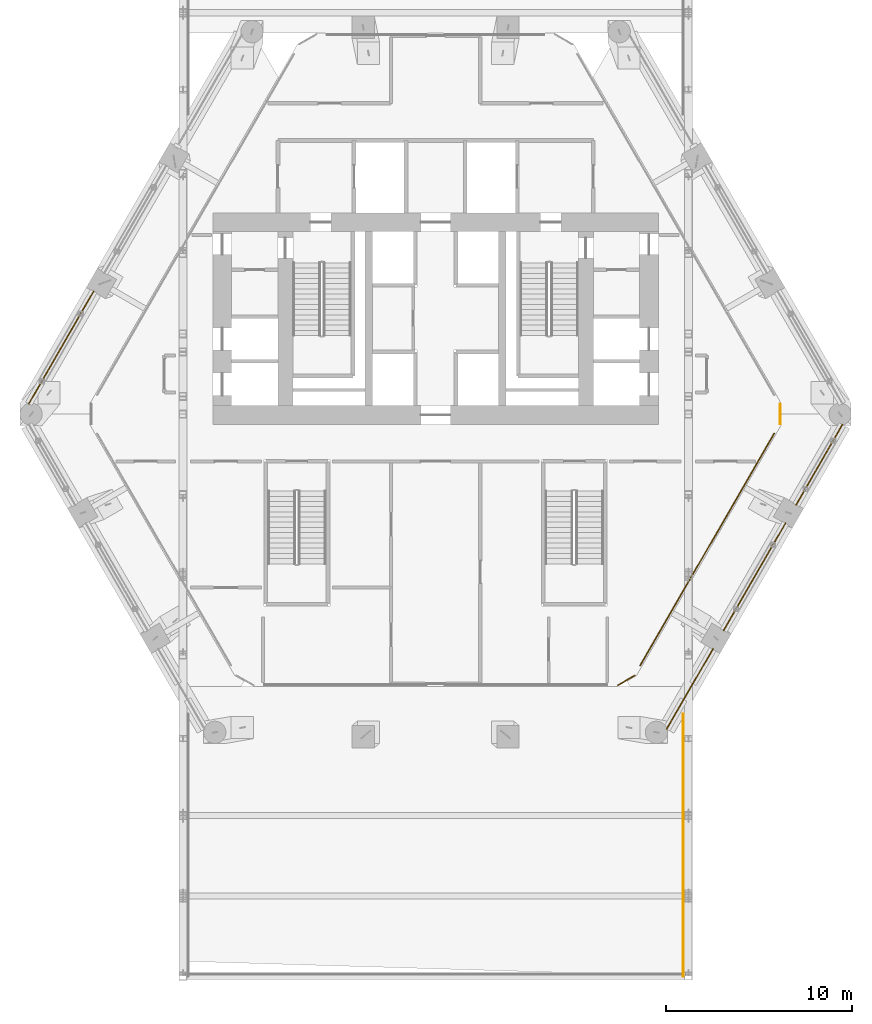
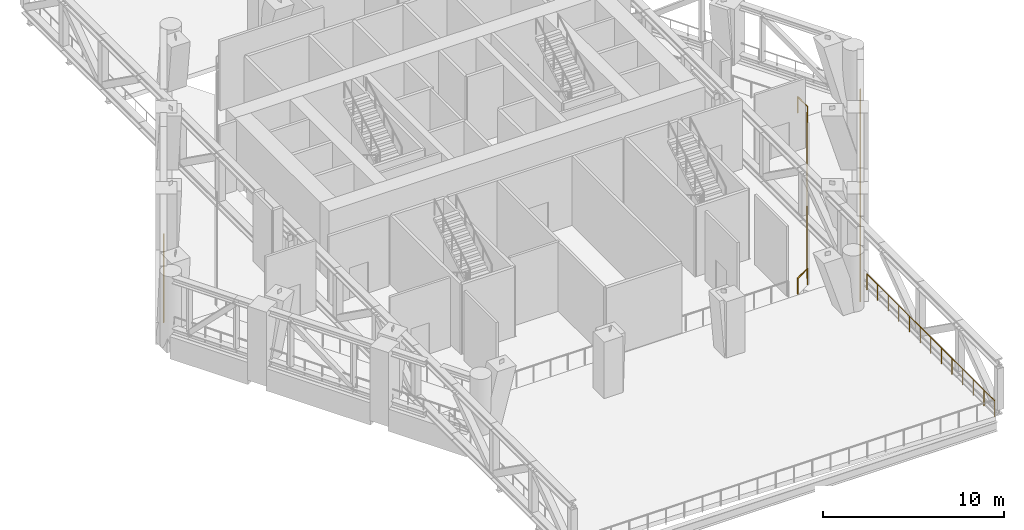
# One storey, part 20 of 22: 8 railings.
"""IFC4 building model written with IfcOpenShell, lengths in metres."""

import ifcopenshell
import ifcopenshell.guid

model = None  # the IFC model being written
_history = None  # IfcOwnerHistory: only IFC2X3 demands one
_inside = {}  # id of a spatial element -> (the spatial element, [elements in it])
_under = {}  # id of a project, library or spatial element -> (it, [spatial elements below it])
_declared = {}  # id of a project -> (the project, [libraries it declares])
_typed = {}  # id of a type object -> (the type object, [elements of that type])
_made_of = {}  # id of a material, layer set ... -> (it, [elements and type objects made of it])


def new_model(schema):
    """Start an empty IFC model of exactly this schema.

    Asked for "IFC4X3", IfcOpenShell would pick the latest addendum, in which some entities
    have other attributes; the version numbers below select the first issue.
    IFC2X3 requires an IfcOwnerHistory on every rooted entity: one is made here for all.
    """
    global model, _history
    if schema == "IFC4X3":
        model = ifcopenshell.file(schema_version=(4, 3, 0, 0))
    else:
        model = ifcopenshell.file(schema=schema)
    _inside.clear()
    _under.clear()
    _declared.clear()
    _typed.clear()
    _made_of.clear()
    _history = None
    if model.schema == "IFC2X3":
        org = make("IfcOrganization", Name="unknown")
        user = make(
            "IfcPersonAndOrganization",
            ThePerson=make("IfcPerson", FamilyName="unknown"),
            TheOrganization=org,
        )
        app = make(
            "IfcApplication",
            ApplicationDeveloper=org,
            Version="unknown",
            ApplicationFullName="unknown",
            ApplicationIdentifier="unknown",
        )
        _history = make(
            "IfcOwnerHistory",
            OwningUser=user,
            OwningApplication=app,
            ChangeAction="ADDED",
            CreationDate=0,
        )
    return model


def make(cls, **values):
    """One entity of the class cls with the attributes given. An attribute that is None is left unset."""
    return model.create_entity(
        cls, **{name: value for name, value in values.items() if value is not None}
    )


def rooted(cls, **values):
    """An entity with a GlobalId (a new one), such as an element, a storey or a relation."""
    return make(cls, GlobalId=ifcopenshell.guid.new(), OwnerHistory=_history, **values)


def si_unit(unit_type, name, prefix=None):
    """IfcSIUnit, for example si_unit("LENGTHUNIT", "METRE", prefix="MILLI")."""
    return make("IfcSIUnit", UnitType=unit_type, Prefix=prefix, Name=name)


def assignment(units):
    """IfcUnitAssignment: the units of a project."""
    return None if units is None else make("IfcUnitAssignment", Units=units)


def point(xyz):
    """IfcCartesianPoint."""
    return None if xyz is None else make("IfcCartesianPoint", Coordinates=xyz)


def direction(xyz):
    """IfcDirection."""
    return None if xyz is None else make("IfcDirection", DirectionRatios=xyz)


def frame(location, z_axis=None, x_axis=None):
    """IfcAxis2Placement3D, a coordinate frame: its origin and axes. An axis left out is left unset."""
    return make(
        "IfcAxis2Placement3D",
        Location=point(location),
        Axis=direction(z_axis),
        RefDirection=direction(x_axis),
    )


def frame_2d(location, x_axis=None):
    """IfcAxis2Placement2D, a coordinate frame in the plane: its origin and x axis."""
    return make(
        "IfcAxis2Placement2D", Location=point(location), RefDirection=direction(x_axis)
    )


def origin():
    """The frame at (0, 0, 0) with its axes left unset."""
    return frame((0.0, 0.0, 0.0))


def origin_2d():
    """The frame at (0, 0) in the plane with its x axis left unset."""
    return frame_2d((0.0, 0.0))


def place(relative_to, where):
    """IfcLocalPlacement: puts the frame where relative to a parent placement (None: the world)."""
    return make(
        "IfcLocalPlacement", PlacementRelTo=relative_to, RelativePlacement=where
    )


def context(
    kind, dimensions, precision=None, world=None, true_north=None, identifier=None
):
    """IfcGeometricRepresentationContext, for example the 3D "Model" context."""
    return make(
        "IfcGeometricRepresentationContext",
        ContextIdentifier=identifier,
        ContextType=kind,
        CoordinateSpaceDimension=dimensions,
        Precision=precision,
        WorldCoordinateSystem=world,
        TrueNorth=true_north,
    )


def subcontext(parent, identifier, kind, view, scale=None):
    """IfcGeometricRepresentationSubContext, for example "Body" below "Model"."""
    return make(
        "IfcGeometricRepresentationSubContext",
        ContextIdentifier=identifier,
        ContextType=kind,
        ParentContext=parent,
        TargetScale=scale,
        TargetView=view,
    )


def project(units=None, contexts=None):
    """IfcProject with its units and contexts."""
    return rooted(
        "IfcProject",
        Name="project",
        RepresentationContexts=contexts,
        UnitsInContext=assignment(units),
    )


def spatial(cls, under=None, at=None, **own):
    """A site, building, storey or space (cls), placed at a placement, below another one or the project."""
    s = rooted(cls, ObjectPlacement=at, **own)
    if under is not None:
        _under.setdefault(under.id(), (under, []))[1].append(s)
    return s


def profile(cls, at=None, kind="AREA", **sizes):
    """A parametric profile (cls). Its sizes go by their IFC names, for example OverallWidth=200.0."""
    return make(cls, ProfileType=kind, Position=at, **sizes)


def circle(**sizes):
    """IfcCircleProfileDef."""
    return profile("IfcCircleProfileDef", **sizes)


def extrude(swept, where, along, depth):
    """IfcExtrudedAreaSolid: the profile swept, set in the frame where, extruded along a direction by depth."""
    return make(
        "IfcExtrudedAreaSolid",
        SweptArea=swept,
        Position=where,
        ExtrudedDirection=direction(along),
        Depth=depth,
    )


def shape(context_of_items, identifier, shape_type, items):
    """IfcShapeRepresentation: the items that make up one representation, for example the "Body"."""
    return make(
        "IfcShapeRepresentation",
        ContextOfItems=context_of_items,
        RepresentationIdentifier=identifier,
        RepresentationType=shape_type,
        Items=items,
    )


def material(Name=None, Category=None):
    """IfcMaterial."""
    return make("IfcMaterial", Name=Name, Category=Category)


def made_of(thing, what):
    """Note that an element or type object is made of a material, layer set ...; save() writes the relation."""
    if what is not None:
        _made_of.setdefault(what.id(), (what, []))[1].append(thing)
    return thing


def type_object(cls, material=None, **own):
    """A type object (cls), such as IfcWallType, which elements share."""
    return made_of(rooted(cls, **own), material)


def element(
    cls,
    number,
    at=None,
    inside=None,
    cuts=None,
    type_object=None,
    material=None,
    context=None,
    identifier="Body",
    shape_type=None,
    held_by="IfcProductDefinitionShape",
    body=None,
    shapes=None,
    **own,
):
    """One element of the class cls, such as IfcWall. Its Tag is "e" and its number.

    at: its placement. inside: the storey or other place that contains it. cuts: it is an
    opening in that element (IfcRelVoidsElement). A single representation is given by context,
    identifier, shape_type and body (its items); several are given by shapes. held_by: the class
    of the entity that holds the representations. save() writes the other relations.
    """
    e = rooted(cls, Tag="e%d" % number, ObjectPlacement=at, **own)
    if body is not None:
        shapes = [shape(context, identifier, shape_type, body)]
    if shapes is not None:
        e.Representation = make(held_by, Representations=shapes)
    if inside is not None:
        _inside.setdefault(inside.id(), (inside, []))[1].append(e)
    if cuts is not None:
        rooted(
            "IfcRelVoidsElement", RelatingBuildingElement=cuts, RelatedOpeningElement=e
        )
    if type_object is not None:
        _typed.setdefault(type_object.id(), (type_object, []))[1].append(e)
    return made_of(e, material)


def aggregate(whole, parts):
    """IfcRelAggregates: a whole, such as a stair, and the parts it consists of."""
    return rooted("IfcRelAggregates", RelatingObject=whole, RelatedObjects=parts)


def save(model, path):
    """Write the relations noted so far, then the file.

    IfcRelAggregates (storeys below a building ...), IfcRelContainedInSpatialStructure (elements
    in a storey), IfcRelDefinesByType, IfcRelAssociatesMaterial and IfcRelDeclares: one each for
    every whole, place, type object, material and project.
    """
    for whole, parts in _under.values():
        aggregate(whole, parts)
    for where, things in _inside.values():
        rooted(
            "IfcRelContainedInSpatialStructure",
            RelatedElements=things,
            RelatingStructure=where,
        )
    for kind, things in _typed.values():
        rooted("IfcRelDefinesByType", RelatedObjects=things, RelatingType=kind)
    for what, things in _made_of.values():
        rooted("IfcRelAssociatesMaterial", RelatedObjects=things, RelatingMaterial=what)
    for by, libraries in _declared.values():
        rooted("IfcRelDeclares", RelatingContext=by, RelatedDefinitions=libraries)
    model.write(path)


model = new_model("IFC4")

# Units and contexts
model_context = context("Model", 3, precision=1e-05, world=origin(), true_north=direction((0.0, 1.0)))
body_context = subcontext(model_context, "Body", "Model", "MODEL_VIEW")
ifc_project = project(units=[si_unit("LENGTHUNIT", "METRE"), si_unit("AREAUNIT", "SQUARE_METRE"), si_unit("VOLUMEUNIT", "CUBIC_METRE"), si_unit("PLANEANGLEUNIT", "RADIAN"), si_unit("MASSUNIT", "GRAM", prefix="KILO")], contexts=[model_context])

# Site, building, storey
site_placement = place(None, origin())
site = spatial("IfcSite", under=ifc_project, at=site_placement, CompositionType="ELEMENT")
building_placement = place(site_placement, origin())
building = spatial("IfcBuilding", under=site, at=building_placement, Name="Ostrander Bayou Hotel Tower", CompositionType="ELEMENT")
storey_placement = place(building_placement, frame((0.0, 0.0, 146.0)))
storey = spatial("IfcBuildingStorey", under=building, at=storey_placement, Name="L36", CompositionType="ELEMENT", Elevation=146.0)

# Railings
ifc_material = material(Name="Stainless steel and clear glass", Category="steel")
railing_type = type_object("IfcRailingType", Name="GR1 guard 1100 mm", PredefinedType="GUARDRAIL", material=ifc_material)
railing_1_placement = place(storey_placement, frame((-18.427490234375, 5.4697265625, 0.0)))
element("IfcRailing", 1, at=railing_1_placement, inside=storey, type_object=railing_type, Name="GR1 L36 NW-3 open band guard", PredefinedType="GUARDRAIL", context=body_context, shape_type="SweptSolid", body=[
    extrude(circle(Radius=0.02490234375, at=origin_2d()), frame((0.0, 0.0, 1.0751953125), z_axis=(-0.499991127072, -0.866030526511, 0.0), x_axis=(0.866030526511, -0.499991127072, 0.0)), (0.0, 0.0, 1.0), 7.000732421875),
    extrude(circle(Radius=0.02001953125, at=origin_2d()), origin(), (0.0, 0.0, 1.0), 1.050048828125),
    extrude(circle(Radius=0.02001953125, at=origin_2d()), frame((-0.58349609375, -1.010498046875, 0.0)), (0.0, 0.0, 1.0), 1.050048828125),
    extrude(circle(Radius=0.02001953125, at=origin_2d()), frame((-1.166748046875, -2.02099609375, 0.0)), (0.0, 0.0, 1.0), 1.050048828125),
    extrude(circle(Radius=0.02001953125, at=origin_2d()), frame((-1.75, -3.03125, 0.0)), (0.0, 0.0, 1.0), 1.050048828125),
    extrude(circle(Radius=0.02001953125, at=origin_2d()), frame((-2.33349609375, -4.041748046875, 0.0)), (0.0, 0.0, 1.0), 1.050048828125),
    extrude(circle(Radius=0.02001953125, at=origin_2d()), frame((-2.9169921875, -5.05224609375, 0.0)), (0.0, 0.0, 1.0), 1.050048828125),
    extrude(circle(Radius=0.02001953125, at=origin_2d()), frame((-3.500244140625, -6.062744140625, 0.0)), (0.0, 0.0, 1.0), 1.050048828125),
])
railing_2_placement = place(storey_placement, frame((12.45361328125, -18.1298828125, 0.0)))
element("IfcRailing", 2, at=railing_2_placement, inside=storey, type_object=railing_type, Name="GR1 L36 SE-1 open band guard", PredefinedType="GUARDRAIL", context=body_context, shape_type="SweptSolid", body=[
    extrude(circle(Radius=0.02490234375, at=origin_2d()), frame((0.0, 0.0, 1.0751953125), z_axis=(0.499974782844, 0.866039962427, 0.0), x_axis=(-0.866039962427, 0.499974782844, 0.0)), (0.0, 0.0, 1.0), 4.997314453125),
    extrude(circle(Radius=0.02001953125, at=origin_2d()), origin(), (0.0, 0.0, 1.0), 1.050048828125),
    extrude(circle(Radius=0.02001953125, at=origin_2d()), frame((0.499755859375, 0.865478515625, 0.0)), (0.0, 0.0, 1.0), 1.050048828125),
    extrude(circle(Radius=0.02001953125, at=origin_2d()), frame((0.99951171875, 1.731201171875, 0.0)), (0.0, 0.0, 1.0), 1.050048828125),
    extrude(circle(Radius=0.02001953125, at=origin_2d()), frame((1.4990234375, 2.5966796875, 0.0)), (0.0, 0.0, 1.0), 1.050048828125),
    extrude(circle(Radius=0.02001953125, at=origin_2d()), frame((1.998779296875, 3.46240234375, 0.0)), (0.0, 0.0, 1.0), 1.050048828125),
    extrude(circle(Radius=0.02001953125, at=origin_2d()), frame((2.49853515625, 4.327880859375, 0.0)), (0.0, 0.0, 1.0), 1.050048828125),
])
railing_3_placement = place(storey_placement, frame((15.522216796875, -12.814697265625, 0.0)))
element("IfcRailing", 3, at=railing_3_placement, inside=storey, type_object=railing_type, Name="GR1 L36 SE-2 open band guard", PredefinedType="GUARDRAIL", context=body_context, shape_type="SweptSolid", body=[
    extrude(circle(Radius=0.02490234375, at=origin_2d()), frame((0.0, 0.0, 1.0751953125), z_axis=(0.499999023957, 0.866025967302, 0.0), x_axis=(-0.866025967302, 0.499999023957, 0.0)), (0.0, 0.0, 1.0), 6.67333984375),
    extrude(circle(Radius=0.02001953125, at=origin_2d()), origin(), (0.0, 0.0, 1.0), 1.050048828125),
    extrude(circle(Radius=0.02001953125, at=origin_2d()), frame((0.55615234375, 0.963134765625, 0.0)), (0.0, 0.0, 1.0), 1.050048828125),
    extrude(circle(Radius=0.02001953125, at=origin_2d()), frame((1.1123046875, 1.926513671875, 0.0)), (0.0, 0.0, 1.0), 1.050048828125),
    extrude(circle(Radius=0.02001953125, at=origin_2d()), frame((1.66845703125, 2.8896484375, 0.0)), (0.0, 0.0, 1.0), 1.050048828125),
    extrude(circle(Radius=0.02001953125, at=origin_2d()), frame((2.224365234375, 3.852783203125, 0.0)), (0.0, 0.0, 1.0), 1.050048828125),
    extrude(circle(Radius=0.02001953125, at=origin_2d()), frame((2.780517578125, 4.816162109375, 0.0)), (0.0, 0.0, 1.0), 1.050048828125),
    extrude(circle(Radius=0.02001953125, at=origin_2d()), frame((3.336669921875, 5.779296875, 0.0)), (0.0, 0.0, 1.0), 1.050048828125),
])
railing_4_placement = place(storey_placement, frame((19.428955078125, -6.048095703125, 0.0)))
element("IfcRailing", 4, at=railing_4_placement, inside=storey, type_object=railing_type, Name="GR1 L36 SE-3 open band guard", PredefinedType="GUARDRAIL", context=body_context, shape_type="SweptSolid", body=[
    extrude(circle(Radius=0.02490234375, at=origin_2d()), frame((0.0, 0.0, 1.0751953125), z_axis=(0.500011423449, 0.866018808352, 0.0), x_axis=(-0.866018808352, 0.500011423449, 0.0)), (0.0, 0.0, 1.0), 4.99755859375),
    extrude(circle(Radius=0.02001953125, at=origin_2d()), origin(), (0.0, 0.0, 1.0), 1.050048828125),
    extrude(circle(Radius=0.02001953125, at=origin_2d()), frame((0.499755859375, 0.865478515625, 0.0)), (0.0, 0.0, 1.0), 1.050048828125),
    extrude(circle(Radius=0.02001953125, at=origin_2d()), frame((0.99951171875, 1.731201171875, 0.0)), (0.0, 0.0, 1.0), 1.050048828125),
    extrude(circle(Radius=0.02001953125, at=origin_2d()), frame((1.499267578125, 2.5966796875, 0.0)), (0.0, 0.0, 1.0), 1.050048828125),
    extrude(circle(Radius=0.02001953125, at=origin_2d()), frame((1.9990234375, 3.46240234375, 0.0)), (0.0, 0.0, 1.0), 1.050048828125),
    extrude(circle(Radius=0.02001953125, at=origin_2d()), frame((2.498779296875, 4.327880859375, 0.0)), (0.0, 0.0, 1.0), 1.050048828125),
])
railing_5_placement = place(storey_placement, frame((9.824462890625, -15.7685546875, 0.0)))
element("IfcRailing", 5, at=railing_5_placement, inside=storey, type_object=railing_type, Name="GR1 L36 corner guard 4", PredefinedType="GUARDRAIL", context=body_context, shape_type="SweptSolid", body=[
    extrude(circle(Radius=0.02490234375, at=origin_2d()), frame((0.0, 0.0, 1.0751953125), z_axis=(0.866048165231, 0.499960573946, 0.0), x_axis=(-0.499960573946, 0.866048165231, 0.0)), (0.0, 0.0, 1.0), 1.06494140625),
    extrude(circle(Radius=0.02001953125, at=origin_2d()), origin(), (0.0, 0.0, 1.0), 1.050048828125),
    extrude(circle(Radius=0.02001953125, at=origin_2d()), frame((0.92236328125, 0.532470703125, 0.0)), (0.0, 0.0, 1.0), 1.050048828125),
])
railing_6_placement = place(storey_placement, frame((18.568115234375, -1.68896484375, 0.0)))
element("IfcRailing", 6, at=railing_6_placement, inside=storey, type_object=railing_type, Name="GR1 L36 corner guard 5", PredefinedType="GUARDRAIL", context=body_context, shape_type="SweptSolid", body=[
    extrude(circle(Radius=0.02490234375, at=origin_2d()), frame((0.0, 0.0, 1.0751953125), z_axis=(0.0, 1.0, 0.0), x_axis=(-1.0, 0.0, 0.0)), (0.0, 0.0, 1.0), 1.06494140625),
    extrude(circle(Radius=0.02001953125, at=origin_2d()), origin(), (0.0, 0.0, 1.0), 1.050048828125),
    extrude(circle(Radius=0.02001953125, at=origin_2d()), frame((0.0, 1.06494140625, 0.0)), (0.0, 0.0, 1.0), 1.050048828125),
])
railing_7_placement = place(storey_placement, frame((18.2470703125, -2.1953125, 0.0)))
element("IfcRailing", 7, at=railing_7_placement, inside=storey, type_object=railing_type, Name="GR1 L36 edge guard 3", PredefinedType="GUARDRAIL", context=body_context, shape_type="SweptSolid", body=[
    extrude(circle(Radius=0.02490234375, at=origin_2d()), frame((0.0, 0.0, 1.0751953125), z_axis=(-0.50000189582, -0.866024309229, 0.0), x_axis=(0.866024309229, -0.50000189582, 0.0)), (0.0, 0.0, 1.0), 14.44482421875),
    extrude(circle(Radius=0.02001953125, at=origin_2d()), origin(), (0.0, 0.0, 1.0), 1.050048828125),
    extrude(circle(Radius=0.02001953125, at=origin_2d()), frame((-0.5556640625, -0.962158203125, 0.0)), (0.0, 0.0, 1.0), 1.050048828125),
    extrude(circle(Radius=0.02001953125, at=origin_2d()), frame((-1.111083984375, -1.924560546875, 0.0)), (0.0, 0.0, 1.0), 1.050048828125),
    extrude(circle(Radius=0.02001953125, at=origin_2d()), frame((-1.666748046875, -2.88671875, 0.0)), (0.0, 0.0, 1.0), 1.050048828125),
    extrude(circle(Radius=0.02001953125, at=origin_2d()), frame((-2.22216796875, -3.84912109375, 0.0)), (0.0, 0.0, 1.0), 1.050048828125),
    extrude(circle(Radius=0.02001953125, at=origin_2d()), frame((-2.77783203125, -4.811279296875, 0.0)), (0.0, 0.0, 1.0), 1.050048828125),
    extrude(circle(Radius=0.02001953125, at=origin_2d()), frame((-3.33349609375, -5.773681640625, 0.0)), (0.0, 0.0, 1.0), 1.050048828125),
    extrude(circle(Radius=0.02001953125, at=origin_2d()), frame((-3.888916015625, -6.73583984375, 0.0)), (0.0, 0.0, 1.0), 1.050048828125),
    extrude(circle(Radius=0.02001953125, at=origin_2d()), frame((-4.444580078125, -7.6982421875, 0.0)), (0.0, 0.0, 1.0), 1.050048828125),
    extrude(circle(Radius=0.02001953125, at=origin_2d()), frame((-5.000244140625, -8.660400390625, 0.0)), (0.0, 0.0, 1.0), 1.050048828125),
    extrude(circle(Radius=0.02001953125, at=origin_2d()), frame((-5.5556640625, -9.622802734375, 0.0)), (0.0, 0.0, 1.0), 1.050048828125),
    extrude(circle(Radius=0.02001953125, at=origin_2d()), frame((-6.111328125, -10.5849609375, 0.0)), (0.0, 0.0, 1.0), 1.050048828125),
    extrude(circle(Radius=0.02001953125, at=origin_2d()), frame((-6.666748046875, -11.54736328125, 0.0)), (0.0, 0.0, 1.0), 1.050048828125),
    extrude(circle(Radius=0.02001953125, at=origin_2d()), frame((-7.222412109375, -12.509521484375, 0.0)), (0.0, 0.0, 1.0), 1.050048828125),
])
railing_8_placement = place(storey_placement, frame((13.34228515625, -31.449951171875, 0.0)))
element("IfcRailing", 8, at=railing_8_placement, inside=storey, type_object=railing_type, Name="GR1 bar roof guard SB3 1", PredefinedType="GUARDRAIL", context=body_context, shape_type="SweptSolid", body=[
    extrude(circle(Radius=0.02490234375, at=origin_2d()), frame((0.0, 0.0, 1.0751953125), z_axis=(0.0, 1.0, 0.0), x_axis=(-1.0, 0.0, 0.0)), (0.0, 0.0, 1.0), 14.132568359375),
    extrude(circle(Radius=0.02001953125, at=origin_2d()), origin(), (0.0, 0.0, 1.0), 1.050048828125),
    extrude(circle(Radius=0.02001953125, at=origin_2d()), frame((0.0, 1.177734375, 0.0)), (0.0, 0.0, 1.0), 1.050048828125),
    extrude(circle(Radius=0.02001953125, at=origin_2d()), frame((0.0, 2.35546875, 0.0)), (0.0, 0.0, 1.0), 1.050048828125),
    extrude(circle(Radius=0.02001953125, at=origin_2d()), frame((0.0, 3.533203125, 0.0)), (0.0, 0.0, 1.0), 1.050048828125),
    extrude(circle(Radius=0.02001953125, at=origin_2d()), frame((0.0, 4.7109375, 0.0)), (0.0, 0.0, 1.0), 1.050048828125),
    extrude(circle(Radius=0.02001953125, at=origin_2d()), frame((0.0, 5.888671875, 0.0)), (0.0, 0.0, 1.0), 1.050048828125),
    extrude(circle(Radius=0.02001953125, at=origin_2d()), frame((0.0, 7.06640625, 0.0)), (0.0, 0.0, 1.0), 1.050048828125),
    extrude(circle(Radius=0.02001953125, at=origin_2d()), frame((0.0, 8.243896484375, 0.0)), (0.0, 0.0, 1.0), 1.050048828125),
    extrude(circle(Radius=0.02001953125, at=origin_2d()), frame((0.0, 9.421630859375, 0.0)), (0.0, 0.0, 1.0), 1.050048828125),
    extrude(circle(Radius=0.02001953125, at=origin_2d()), frame((0.0, 10.599365234375, 0.0)), (0.0, 0.0, 1.0), 1.050048828125),
    extrude(circle(Radius=0.02001953125, at=origin_2d()), frame((0.0, 11.777099609375, 0.0)), (0.0, 0.0, 1.0), 1.050048828125),
    extrude(circle(Radius=0.02001953125, at=origin_2d()), frame((0.0, 12.954833984375, 0.0)), (0.0, 0.0, 1.0), 1.050048828125),
    extrude(circle(Radius=0.02001953125, at=origin_2d()), frame((0.0, 14.132568359375, 0.0)), (0.0, 0.0, 1.0), 1.050048828125),
])

save(model, "model.ifc")
